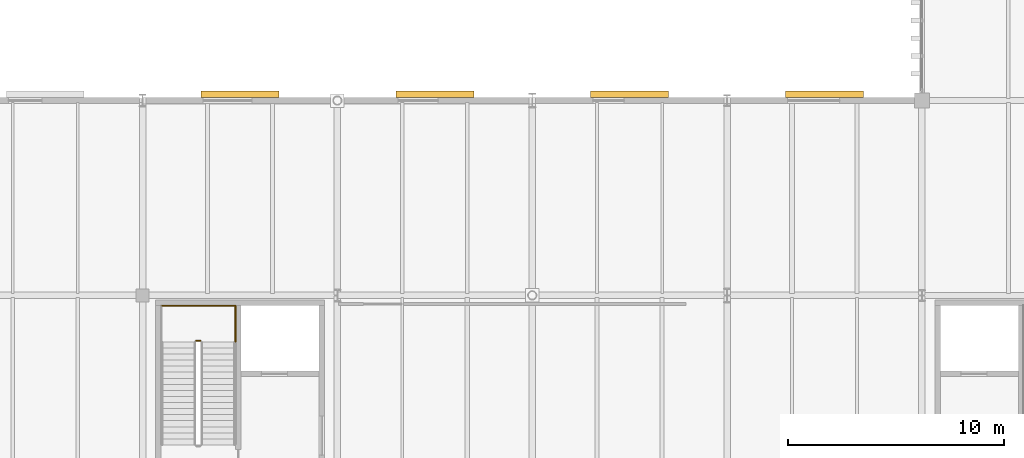
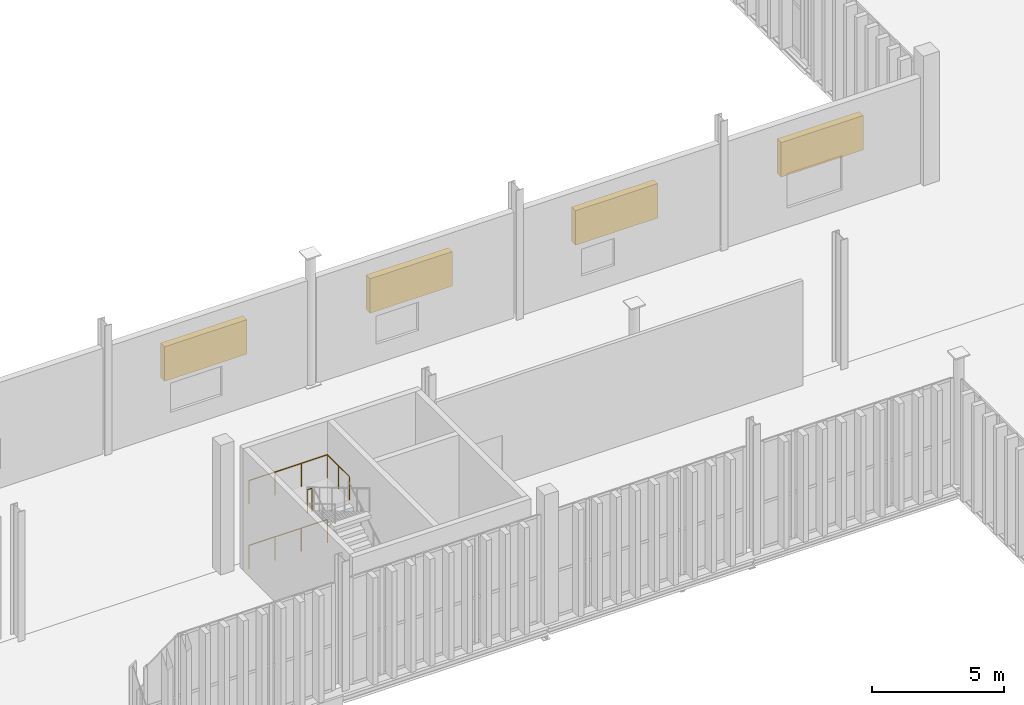
# One storey, part 207 of 211: 4 railings, 4 shading devices.
"""IFC4 building model written with IfcOpenShell, lengths in metres."""

import ifcopenshell
import ifcopenshell.guid

model = None  # the IFC model being written
_history = None  # IfcOwnerHistory: only IFC2X3 demands one
_inside = {}  # id of a spatial element -> (the spatial element, [elements in it])
_under = {}  # id of a project, library or spatial element -> (it, [spatial elements below it])
_declared = {}  # id of a project -> (the project, [libraries it declares])
_typed = {}  # id of a type object -> (the type object, [elements of that type])
_made_of = {}  # id of a material, layer set ... -> (it, [elements and type objects made of it])


def new_model(schema):
    """Start an empty IFC model of exactly this schema.

    Asked for "IFC4X3", IfcOpenShell would pick the latest addendum, in which some entities
    have other attributes; the version numbers below select the first issue.
    IFC2X3 requires an IfcOwnerHistory on every rooted entity: one is made here for all.
    """
    global model, _history
    if schema == "IFC4X3":
        model = ifcopenshell.file(schema_version=(4, 3, 0, 0))
    else:
        model = ifcopenshell.file(schema=schema)
    _inside.clear()
    _under.clear()
    _declared.clear()
    _typed.clear()
    _made_of.clear()
    _history = None
    if model.schema == "IFC2X3":
        org = make("IfcOrganization", Name="unknown")
        user = make(
            "IfcPersonAndOrganization",
            ThePerson=make("IfcPerson", FamilyName="unknown"),
            TheOrganization=org,
        )
        app = make(
            "IfcApplication",
            ApplicationDeveloper=org,
            Version="unknown",
            ApplicationFullName="unknown",
            ApplicationIdentifier="unknown",
        )
        _history = make(
            "IfcOwnerHistory",
            OwningUser=user,
            OwningApplication=app,
            ChangeAction="ADDED",
            CreationDate=0,
        )
    return model


def make(cls, **values):
    """One entity of the class cls with the attributes given. An attribute that is None is left unset."""
    return model.create_entity(
        cls, **{name: value for name, value in values.items() if value is not None}
    )


def rooted(cls, **values):
    """An entity with a GlobalId (a new one), such as an element, a storey or a relation."""
    return make(cls, GlobalId=ifcopenshell.guid.new(), OwnerHistory=_history, **values)


def si_unit(unit_type, name, prefix=None):
    """IfcSIUnit, for example si_unit("LENGTHUNIT", "METRE", prefix="MILLI")."""
    return make("IfcSIUnit", UnitType=unit_type, Prefix=prefix, Name=name)


def assignment(units):
    """IfcUnitAssignment: the units of a project."""
    return None if units is None else make("IfcUnitAssignment", Units=units)


def point(xyz):
    """IfcCartesianPoint."""
    return None if xyz is None else make("IfcCartesianPoint", Coordinates=xyz)


def direction(xyz):
    """IfcDirection."""
    return None if xyz is None else make("IfcDirection", DirectionRatios=xyz)


def frame(location, z_axis=None, x_axis=None):
    """IfcAxis2Placement3D, a coordinate frame: its origin and axes. An axis left out is left unset."""
    return make(
        "IfcAxis2Placement3D",
        Location=point(location),
        Axis=direction(z_axis),
        RefDirection=direction(x_axis),
    )


def frame_2d(location, x_axis=None):
    """IfcAxis2Placement2D, a coordinate frame in the plane: its origin and x axis."""
    return make(
        "IfcAxis2Placement2D", Location=point(location), RefDirection=direction(x_axis)
    )


def origin():
    """The frame at (0, 0, 0) with its axes left unset."""
    return frame((0.0, 0.0, 0.0))


def origin_2d():
    """The frame at (0, 0) in the plane with its x axis left unset."""
    return frame_2d((0.0, 0.0))


def place(relative_to, where):
    """IfcLocalPlacement: puts the frame where relative to a parent placement (None: the world)."""
    return make(
        "IfcLocalPlacement", PlacementRelTo=relative_to, RelativePlacement=where
    )


def context(
    kind, dimensions, precision=None, world=None, true_north=None, identifier=None
):
    """IfcGeometricRepresentationContext, for example the 3D "Model" context."""
    return make(
        "IfcGeometricRepresentationContext",
        ContextIdentifier=identifier,
        ContextType=kind,
        CoordinateSpaceDimension=dimensions,
        Precision=precision,
        WorldCoordinateSystem=world,
        TrueNorth=true_north,
    )


def subcontext(parent, identifier, kind, view, scale=None):
    """IfcGeometricRepresentationSubContext, for example "Body" below "Model"."""
    return make(
        "IfcGeometricRepresentationSubContext",
        ContextIdentifier=identifier,
        ContextType=kind,
        ParentContext=parent,
        TargetScale=scale,
        TargetView=view,
    )


def project(units=None, contexts=None):
    """IfcProject with its units and contexts."""
    return rooted(
        "IfcProject",
        Name="project",
        RepresentationContexts=contexts,
        UnitsInContext=assignment(units),
    )


def spatial(cls, under=None, at=None, **own):
    """A site, building, storey or space (cls), placed at a placement, below another one or the project."""
    s = rooted(cls, ObjectPlacement=at, **own)
    if under is not None:
        _under.setdefault(under.id(), (under, []))[1].append(s)
    return s


def profile(cls, at=None, kind="AREA", **sizes):
    """A parametric profile (cls). Its sizes go by their IFC names, for example OverallWidth=200.0."""
    return make(cls, ProfileType=kind, Position=at, **sizes)


def rectangle(**sizes):
    """IfcRectangleProfileDef."""
    return profile("IfcRectangleProfileDef", **sizes)


def circle(**sizes):
    """IfcCircleProfileDef."""
    return profile("IfcCircleProfileDef", **sizes)


def extrude(swept, where, along, depth):
    """IfcExtrudedAreaSolid: the profile swept, set in the frame where, extruded along a direction by depth."""
    return make(
        "IfcExtrudedAreaSolid",
        SweptArea=swept,
        Position=where,
        ExtrudedDirection=direction(along),
        Depth=depth,
    )


def shape(context_of_items, identifier, shape_type, items):
    """IfcShapeRepresentation: the items that make up one representation, for example the "Body"."""
    return make(
        "IfcShapeRepresentation",
        ContextOfItems=context_of_items,
        RepresentationIdentifier=identifier,
        RepresentationType=shape_type,
        Items=items,
    )


def material(Name=None, Category=None):
    """IfcMaterial."""
    return make("IfcMaterial", Name=Name, Category=Category)


def made_of(thing, what):
    """Note that an element or type object is made of a material, layer set ...; save() writes the relation."""
    if what is not None:
        _made_of.setdefault(what.id(), (what, []))[1].append(thing)
    return thing


def type_object(cls, material=None, **own):
    """A type object (cls), such as IfcWallType, which elements share."""
    return made_of(rooted(cls, **own), material)


def element(
    cls,
    number,
    at=None,
    inside=None,
    cuts=None,
    type_object=None,
    material=None,
    context=None,
    identifier="Body",
    shape_type=None,
    held_by="IfcProductDefinitionShape",
    body=None,
    shapes=None,
    **own,
):
    """One element of the class cls, such as IfcWall. Its Tag is "e" and its number.

    at: its placement. inside: the storey or other place that contains it. cuts: it is an
    opening in that element (IfcRelVoidsElement). A single representation is given by context,
    identifier, shape_type and body (its items); several are given by shapes. held_by: the class
    of the entity that holds the representations. save() writes the other relations.
    """
    e = rooted(cls, Tag="e%d" % number, ObjectPlacement=at, **own)
    if body is not None:
        shapes = [shape(context, identifier, shape_type, body)]
    if shapes is not None:
        e.Representation = make(held_by, Representations=shapes)
    if inside is not None:
        _inside.setdefault(inside.id(), (inside, []))[1].append(e)
    if cuts is not None:
        rooted(
            "IfcRelVoidsElement", RelatingBuildingElement=cuts, RelatedOpeningElement=e
        )
    if type_object is not None:
        _typed.setdefault(type_object.id(), (type_object, []))[1].append(e)
    return made_of(e, material)


def aggregate(whole, parts):
    """IfcRelAggregates: a whole, such as a stair, and the parts it consists of."""
    return rooted("IfcRelAggregates", RelatingObject=whole, RelatedObjects=parts)


def save(model, path):
    """Write the relations noted so far, then the file.

    IfcRelAggregates (storeys below a building ...), IfcRelContainedInSpatialStructure (elements
    in a storey), IfcRelDefinesByType, IfcRelAssociatesMaterial and IfcRelDeclares: one each for
    every whole, place, type object, material and project.
    """
    for whole, parts in _under.values():
        aggregate(whole, parts)
    for where, things in _inside.values():
        rooted(
            "IfcRelContainedInSpatialStructure",
            RelatedElements=things,
            RelatingStructure=where,
        )
    for kind, things in _typed.values():
        rooted("IfcRelDefinesByType", RelatedObjects=things, RelatingType=kind)
    for what, things in _made_of.values():
        rooted("IfcRelAssociatesMaterial", RelatedObjects=things, RelatingMaterial=what)
    for by, libraries in _declared.values():
        rooted("IfcRelDeclares", RelatingContext=by, RelatedDefinitions=libraries)
    model.write(path)


model = new_model("IFC4")

# Units and contexts
model_context = context("Model", 3, precision=1e-05, world=origin(), true_north=direction((0.0, 1.0)))
body_context = subcontext(model_context, "Body", "Model", "MODEL_VIEW")
ifc_project = project(units=[si_unit("LENGTHUNIT", "METRE"), si_unit("AREAUNIT", "SQUARE_METRE"), si_unit("VOLUMEUNIT", "CUBIC_METRE"), si_unit("PLANEANGLEUNIT", "RADIAN"), si_unit("MASSUNIT", "GRAM", prefix="KILO")], contexts=[model_context])

# Site, building, storey
site_placement = place(None, origin())
site = spatial("IfcSite", under=ifc_project, at=site_placement, CompositionType="ELEMENT")
building_placement = place(site_placement, origin())
building = spatial("IfcBuilding", under=site, at=building_placement, Name="Barlavento Convention Centre", CompositionType="ELEMENT")
storey_placement = place(building_placement, frame((0.0, 0.0, 6.0)))
storey = spatial("IfcBuildingStorey", under=building, at=storey_placement, Name="L01", CompositionType="ELEMENT", Elevation=6.0)

# Railings
ifc_material_1 = material(Name="Stainless steel and laminated glass balustrade", Category="steel")
railing_type = type_object("IfcRailingType", Name="ARC-RAL-BAL-1100", PredefinedType="BALUSTRADE", material=ifc_material_1)
railing_1_placement = place(storey_placement, frame((146.669921875, 96.89990234375, 3.0)))
element("IfcRailing", 1, at=railing_1_placement, inside=storey, type_object=railing_type, Name="L01 ST09 stair guard 2", PredefinedType="BALUSTRADE", context=body_context, shape_type="SweptSolid", body=[
    extrude(circle(Radius=0.02392578125, at=origin_2d()), frame((0.0, 0.0, 1.076171875), z_axis=(-1.0, 0.0, 0.0), x_axis=(0.0, -1.0, 0.0)), (0.0, 0.0, 1.0), 0.199951171875),
    extrude(circle(Radius=0.02099609375, at=origin_2d()), origin(), (0.0, 0.0, 1.0), 1.052001953125),
    extrude(circle(Radius=0.02099609375, at=origin_2d()), frame((-0.199951171875, 0.0, 0.0)), (0.0, 0.0, 1.0), 1.052001953125),
])
railing_2_placement = place(storey_placement, frame((148.2900390625, 96.85009765625, 3.0)))
element("IfcRailing", 2, at=railing_2_placement, inside=storey, type_object=railing_type, Name="L01 landing guard GR01", PredefinedType="BALUSTRADE", context=body_context, shape_type="SweptSolid", body=[
    extrude(circle(Radius=0.02392578125, at=origin_2d()), frame((0.0, 0.0, 1.076171875), z_axis=(0.0, 1.0, 0.0), x_axis=(-1.0, 0.0, 0.0)), (0.0, 0.0, 1.0), 1.679931640625),
    extrude(circle(Radius=0.02099609375, at=origin_2d()), origin(), (0.0, 0.0, 1.0), 1.052001953125),
    extrude(circle(Radius=0.02099609375, at=origin_2d()), frame((0.0, 0.83984375, 0.0)), (0.0, 0.0, 1.0), 1.052001953125),
    extrude(circle(Radius=0.02099609375, at=origin_2d()), frame((0.0, 1.679931640625, 0.0)), (0.0, 0.0, 1.0), 1.052001953125),
])
for number, where, name in (
    (3, (148.2900390625, 98.530029296875, 3.0), "L01 landing guard GR01"),
    (4, (148.2900390625, 98.530029296875, 0.0), "L01 stairwell perimeter guard GR01"),
):
    element("IfcRailing", number, at=place(storey_placement, frame(where)), inside=storey, type_object=railing_type, Name=name, PredefinedType="BALUSTRADE", context=body_context, shape_type="SweptSolid", body=[
        extrude(circle(Radius=0.02392578125, at=origin_2d()), frame((0.0, 0.0, 1.076171875), z_axis=(-1.0, 0.0, 0.0), x_axis=(0.0, -1.0, 0.0)), (0.0, 0.0, 1.0), 3.43994140625),
        extrude(circle(Radius=0.02099609375, at=origin_2d()), origin(), (0.0, 0.0, 1.0), 1.052001953125),
        extrude(circle(Radius=0.02099609375, at=origin_2d()), frame((-1.146728515625, 0.0, 0.0)), (0.0, 0.0, 1.0), 1.052001953125),
        extrude(circle(Radius=0.02099609375, at=origin_2d()), frame((-2.293212890625, 0.0, 0.0)), (0.0, 0.0, 1.0), 1.052001953125),
        extrude(circle(Radius=0.02099609375, at=origin_2d()), frame((-3.43994140625, 0.0, 0.0)), (0.0, 0.0, 1.0), 1.052001953125),
    ])

# Shading devices
ifc_material_2 = material(Name="Powder-coated aluminium acoustic louvre", Category="aluminium")
shading_device_type = type_object("IfcShadingDeviceType", Name="ARC-SHD-LOUVRE", PredefinedType="JALOUSIE", material=ifc_material_2)
for number, where, z_axis, x_axis, name in (
    (5, (148.5, 108.280029296875, 2.199951171875), (0.0, 0.0, 1.0), (1.0, 0.0, 0.0), "Plant room acoustic storm louvre ALV01"),
    (6, (157.5, 108.280029296875, 2.199951171875), (0.0, 0.0, 1.0), (1.0, 0.0, 0.0), "Plant room acoustic storm louvre ALV01"),
    (7, (166.5, 108.280029296875, 2.199951171875), (0.0, 0.0, 1.0), (1.0, 0.0, 0.0), "Plant room acoustic storm louvre ALV01"),
    (8, (175.5, 108.280029296875, 2.199951171875), (0.0, 0.0, 1.0), (1.0, 0.0, 0.0), "Plant room acoustic storm louvre ALV01"),
):
    element("IfcShadingDevice", number, at=place(storey_placement, frame(where, z_axis=z_axis, x_axis=x_axis)), inside=storey, type_object=shading_device_type, Name=name, PredefinedType="JALOUSIE", context=body_context, shape_type="SweptSolid", body=[
        extrude(rectangle(XDim=3.60009765625, YDim=0.300048828125, at=origin_2d()), origin(), (0.0, 0.0, 1.0), 1.60009765625),
    ])

save(model, "model.ifc")
